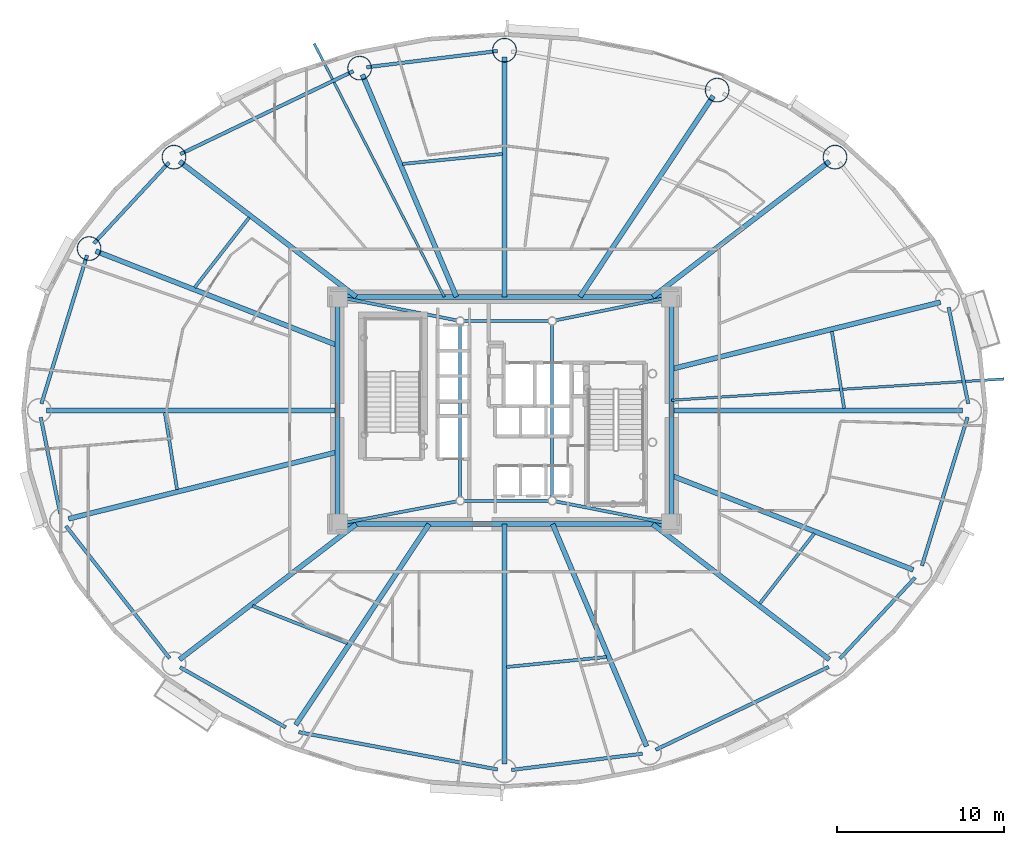
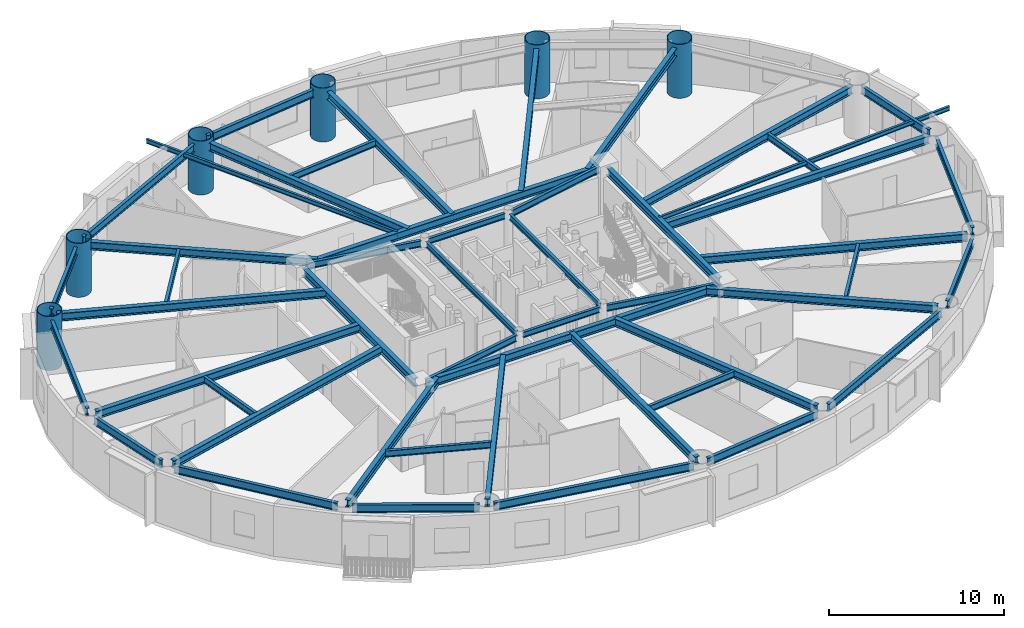
# One storey, part 3 of 18: 50 beams, 6 columns.
"""IFC4 building model written with IfcOpenShell, lengths in metres."""

import ifcopenshell
import ifcopenshell.guid

model = None  # the IFC model being written
_history = None  # IfcOwnerHistory: only IFC2X3 demands one
_inside = {}  # id of a spatial element -> (the spatial element, [elements in it])
_under = {}  # id of a project, library or spatial element -> (it, [spatial elements below it])
_declared = {}  # id of a project -> (the project, [libraries it declares])
_typed = {}  # id of a type object -> (the type object, [elements of that type])
_made_of = {}  # id of a material, layer set ... -> (it, [elements and type objects made of it])


def new_model(schema):
    """Start an empty IFC model of exactly this schema.

    Asked for "IFC4X3", IfcOpenShell would pick the latest addendum, in which some entities
    have other attributes; the version numbers below select the first issue.
    IFC2X3 requires an IfcOwnerHistory on every rooted entity: one is made here for all.
    """
    global model, _history
    if schema == "IFC4X3":
        model = ifcopenshell.file(schema_version=(4, 3, 0, 0))
    else:
        model = ifcopenshell.file(schema=schema)
    _inside.clear()
    _under.clear()
    _declared.clear()
    _typed.clear()
    _made_of.clear()
    _history = None
    if model.schema == "IFC2X3":
        org = make("IfcOrganization", Name="unknown")
        user = make(
            "IfcPersonAndOrganization",
            ThePerson=make("IfcPerson", FamilyName="unknown"),
            TheOrganization=org,
        )
        app = make(
            "IfcApplication",
            ApplicationDeveloper=org,
            Version="unknown",
            ApplicationFullName="unknown",
            ApplicationIdentifier="unknown",
        )
        _history = make(
            "IfcOwnerHistory",
            OwningUser=user,
            OwningApplication=app,
            ChangeAction="ADDED",
            CreationDate=0,
        )
    return model


def make(cls, **values):
    """One entity of the class cls with the attributes given. An attribute that is None is left unset."""
    return model.create_entity(
        cls, **{name: value for name, value in values.items() if value is not None}
    )


def rooted(cls, **values):
    """An entity with a GlobalId (a new one), such as an element, a storey or a relation."""
    return make(cls, GlobalId=ifcopenshell.guid.new(), OwnerHistory=_history, **values)


def si_unit(unit_type, name, prefix=None):
    """IfcSIUnit, for example si_unit("LENGTHUNIT", "METRE", prefix="MILLI")."""
    return make("IfcSIUnit", UnitType=unit_type, Prefix=prefix, Name=name)


def assignment(units):
    """IfcUnitAssignment: the units of a project."""
    return None if units is None else make("IfcUnitAssignment", Units=units)


def point(xyz):
    """IfcCartesianPoint."""
    return None if xyz is None else make("IfcCartesianPoint", Coordinates=xyz)


def direction(xyz):
    """IfcDirection."""
    return None if xyz is None else make("IfcDirection", DirectionRatios=xyz)


def frame(location, z_axis=None, x_axis=None):
    """IfcAxis2Placement3D, a coordinate frame: its origin and axes. An axis left out is left unset."""
    return make(
        "IfcAxis2Placement3D",
        Location=point(location),
        Axis=direction(z_axis),
        RefDirection=direction(x_axis),
    )


def frame_2d(location, x_axis=None):
    """IfcAxis2Placement2D, a coordinate frame in the plane: its origin and x axis."""
    return make(
        "IfcAxis2Placement2D", Location=point(location), RefDirection=direction(x_axis)
    )


def origin():
    """The frame at (0, 0, 0) with its axes left unset."""
    return frame((0.0, 0.0, 0.0))


def origin_2d():
    """The frame at (0, 0) in the plane with its x axis left unset."""
    return frame_2d((0.0, 0.0))


def place(relative_to, where):
    """IfcLocalPlacement: puts the frame where relative to a parent placement (None: the world)."""
    return make(
        "IfcLocalPlacement", PlacementRelTo=relative_to, RelativePlacement=where
    )


def context(
    kind, dimensions, precision=None, world=None, true_north=None, identifier=None
):
    """IfcGeometricRepresentationContext, for example the 3D "Model" context."""
    return make(
        "IfcGeometricRepresentationContext",
        ContextIdentifier=identifier,
        ContextType=kind,
        CoordinateSpaceDimension=dimensions,
        Precision=precision,
        WorldCoordinateSystem=world,
        TrueNorth=true_north,
    )


def subcontext(parent, identifier, kind, view, scale=None):
    """IfcGeometricRepresentationSubContext, for example "Body" below "Model"."""
    return make(
        "IfcGeometricRepresentationSubContext",
        ContextIdentifier=identifier,
        ContextType=kind,
        ParentContext=parent,
        TargetScale=scale,
        TargetView=view,
    )


def project(units=None, contexts=None):
    """IfcProject with its units and contexts."""
    return rooted(
        "IfcProject",
        Name="project",
        RepresentationContexts=contexts,
        UnitsInContext=assignment(units),
    )


def spatial(cls, under=None, at=None, **own):
    """A site, building, storey or space (cls), placed at a placement, below another one or the project."""
    s = rooted(cls, ObjectPlacement=at, **own)
    if under is not None:
        _under.setdefault(under.id(), (under, []))[1].append(s)
    return s


def profile(cls, at=None, kind="AREA", **sizes):
    """A parametric profile (cls). Its sizes go by their IFC names, for example OverallWidth=200.0."""
    return make(cls, ProfileType=kind, Position=at, **sizes)


def hollow_circle(**sizes):
    """IfcCircleHollowProfileDef."""
    return profile("IfcCircleHollowProfileDef", **sizes)


def i_section(**sizes):
    """IfcIShapeProfileDef."""
    return profile("IfcIShapeProfileDef", **sizes)


def extrude(swept, where, along, depth):
    """IfcExtrudedAreaSolid: the profile swept, set in the frame where, extruded along a direction by depth."""
    return make(
        "IfcExtrudedAreaSolid",
        SweptArea=swept,
        Position=where,
        ExtrudedDirection=direction(along),
        Depth=depth,
    )


def shape(context_of_items, identifier, shape_type, items):
    """IfcShapeRepresentation: the items that make up one representation, for example the "Body"."""
    return make(
        "IfcShapeRepresentation",
        ContextOfItems=context_of_items,
        RepresentationIdentifier=identifier,
        RepresentationType=shape_type,
        Items=items,
    )


def material(Name=None, Category=None):
    """IfcMaterial."""
    return make("IfcMaterial", Name=Name, Category=Category)


def material_profile(
    of_material, cross_section, Name=None, Category=None, Priority=None
):
    """IfcMaterialProfile: a cross section and its material."""
    return make(
        "IfcMaterialProfile",
        Name=Name,
        Material=of_material,
        Profile=cross_section,
        Priority=Priority,
        Category=Category,
    )


def profile_set(profiles, Name=None, composite=None):
    """IfcMaterialProfileSet."""
    return make(
        "IfcMaterialProfileSet",
        Name=Name,
        MaterialProfiles=profiles,
        CompositeProfile=composite,
    )


def made_of(thing, what):
    """Note that an element or type object is made of a material, layer set ...; save() writes the relation."""
    if what is not None:
        _made_of.setdefault(what.id(), (what, []))[1].append(thing)
    return thing


def type_object(cls, material=None, **own):
    """A type object (cls), such as IfcWallType, which elements share."""
    return made_of(rooted(cls, **own), material)


def element(
    cls,
    number,
    at=None,
    inside=None,
    cuts=None,
    type_object=None,
    material=None,
    context=None,
    identifier="Body",
    shape_type=None,
    held_by="IfcProductDefinitionShape",
    body=None,
    shapes=None,
    **own,
):
    """One element of the class cls, such as IfcWall. Its Tag is "e" and its number.

    at: its placement. inside: the storey or other place that contains it. cuts: it is an
    opening in that element (IfcRelVoidsElement). A single representation is given by context,
    identifier, shape_type and body (its items); several are given by shapes. held_by: the class
    of the entity that holds the representations. save() writes the other relations.
    """
    e = rooted(cls, Tag="e%d" % number, ObjectPlacement=at, **own)
    if body is not None:
        shapes = [shape(context, identifier, shape_type, body)]
    if shapes is not None:
        e.Representation = make(held_by, Representations=shapes)
    if inside is not None:
        _inside.setdefault(inside.id(), (inside, []))[1].append(e)
    if cuts is not None:
        rooted(
            "IfcRelVoidsElement", RelatingBuildingElement=cuts, RelatedOpeningElement=e
        )
    if type_object is not None:
        _typed.setdefault(type_object.id(), (type_object, []))[1].append(e)
    return made_of(e, material)


def aggregate(whole, parts):
    """IfcRelAggregates: a whole, such as a stair, and the parts it consists of."""
    return rooted("IfcRelAggregates", RelatingObject=whole, RelatedObjects=parts)


def save(model, path):
    """Write the relations noted so far, then the file.

    IfcRelAggregates (storeys below a building ...), IfcRelContainedInSpatialStructure (elements
    in a storey), IfcRelDefinesByType, IfcRelAssociatesMaterial and IfcRelDeclares: one each for
    every whole, place, type object, material and project.
    """
    for whole, parts in _under.values():
        aggregate(whole, parts)
    for where, things in _inside.values():
        rooted(
            "IfcRelContainedInSpatialStructure",
            RelatedElements=things,
            RelatingStructure=where,
        )
    for kind, things in _typed.values():
        rooted("IfcRelDefinesByType", RelatedObjects=things, RelatingType=kind)
    for what, things in _made_of.values():
        rooted("IfcRelAssociatesMaterial", RelatedObjects=things, RelatingMaterial=what)
    for by, libraries in _declared.values():
        rooted("IfcRelDeclares", RelatingContext=by, RelatedDefinitions=libraries)
    model.write(path)


model = new_model("IFC4")

# Units and contexts
model_context = context("Model", 3, precision=1e-05, world=origin(), true_north=direction((0.0, 1.0)))
body_context = subcontext(model_context, "Body", "Model", "MODEL_VIEW")
ifc_project = project(units=[si_unit("LENGTHUNIT", "METRE"), si_unit("AREAUNIT", "SQUARE_METRE"), si_unit("VOLUMEUNIT", "CUBIC_METRE"), si_unit("PLANEANGLEUNIT", "RADIAN"), si_unit("MASSUNIT", "GRAM", prefix="KILO")], contexts=[model_context])

# Site, building, storey
site_placement = place(None, origin())
site = spatial("IfcSite", under=ifc_project, at=site_placement, CompositionType="ELEMENT")
building_placement = place(site_placement, origin())
building = spatial("IfcBuilding", under=site, at=building_placement, Name="Linh Dai School and Residence Tower", CompositionType="ELEMENT")
storey_placement = place(building_placement, frame((0.0, 0.0, 100.949951171875)))
storey = spatial("IfcBuildingStorey", under=building, at=storey_placement, Name="L23", CompositionType="ELEMENT", Elevation=100.949951171875)

# Columns
ifc_material = material(Name="Structural Steel S355JR", Category="steel")
ifc_material_profile_1 = material_profile(ifc_material, hollow_circle(Radius=0.72509765625, WallThickness=0.0419921875, at=origin_2d()), Name="CHS 1450x42")
ifc_profile_set_1 = profile_set([ifc_material_profile_1], Name="Structural Steel S355JR")
column_type = type_object("IfcColumnType", Name="COL-MC3", PredefinedType="COLUMN", material=ifc_profile_set_1)
for number, where, z_axis, x_axis, name in (
    (1, (55.772705078125, 42.155517578125, 0.0), (0.0, 0.0, 1.0), (1.0, 0.0, 0.0), "L23 Perimeter CFT Mega-Column MC03"),
    (2, (48.721923828125, 46.1650390625, 0.0), (0.0, 0.0, 1.0), (1.0, 0.0, 0.0), "L23 Perimeter CFT Mega-Column MC04"),
    (3, (36.0, 48.554931640625, 0.0), (0.0, 0.0, 1.0), (1.0, 0.0, 0.0), "L23 Perimeter CFT Mega-Column MC05"),
    (4, (27.33447265625, 47.480712890625, 0.0), (0.0, 0.0, 1.0), (1.0, 0.0, 0.0), "L23 Perimeter CFT Mega-Column MC06"),
    (5, (16.227294921875, 42.155517578125, 0.0), (0.0, 0.0, 1.0), (1.0, 0.0, 0.0), "L23 Perimeter CFT Mega-Column MC07"),
    (6, (11.15087890625, 36.6875, 0.0), (0.0, 0.0, 1.0), (1.0, 0.0, 0.0), "L23 Perimeter CFT Mega-Column MC08"),
):
    element("IfcColumn", number, at=place(storey_placement, frame(where, z_axis=z_axis, x_axis=x_axis)), inside=storey, type_object=column_type, Name=name, PredefinedType="COLUMN", context=body_context, shape_type="SweptSolid", body=[
        extrude(hollow_circle(Radius=0.72509765625, WallThickness=0.0419921875, at=origin_2d()), origin(), (0.0, 0.0, 1.0), 3.75),
    ])

# Beams
ifc_material_profile_2 = material_profile(ifc_material, i_section(OverallWidth=0.14990234375, OverallDepth=0.300048828125, WebThickness=0.007080078125, FlangeThickness=0.0107421875, at=origin_2d()), Name="IPE 300")
ifc_profile_set_2 = profile_set([ifc_material_profile_2], Name="Structural Steel S355JR")
beam_type_1 = type_object("IfcBeamType", Name="BM-BALC-CANT", PredefinedType="BEAM", material=ifc_profile_set_2)
beam_1_placement = place(storey_placement, frame((46.0, 27.614501953125, 3.35009765625), z_axis=(0.997959538663, 0.063849504236, 0.0), x_axis=(-0.063849504236, 0.997959538663, 0.0)))
element("IfcBeam", 7, at=beam_1_placement, inside=storey, type_object=beam_type_1, Name="L24 Balcony Continuous Cantilever Beam 01", PredefinedType="BEAM", context=body_context, shape_type="SweptSolid", body=[
    extrude(i_section(OverallWidth=0.14990234375, OverallDepth=0.300048828125, WebThickness=0.007080078125, FlangeThickness=0.0107421875, at=origin_2d()), origin(), (0.0, 0.0, 1.0), 19.91748046875),
])
beam_2_placement = place(storey_placement, frame((32.39501953125, 33.800048828125, 3.35009765625), z_axis=(-0.456823084527, 0.889557569493, 0.0), x_axis=(-0.889557569493, -0.456823084527, 0.0)))
element("IfcBeam", 8, at=beam_2_placement, inside=storey, type_object=beam_type_1, Name="L24 Balcony Continuous Cantilever Beam 13", PredefinedType="BEAM", context=body_context, shape_type="SweptSolid", body=[
    extrude(i_section(OverallWidth=0.14990234375, OverallDepth=0.300048828125, WebThickness=0.007080078125, FlangeThickness=0.0107421875, at=origin_2d()), origin(), (0.0, 0.0, 1.0), 17.027099609375),
])
ifc_material_profile_3 = material_profile(ifc_material, i_section(OverallWidth=0.2099609375, OverallDepth=0.550048828125, WebThickness=0.010986328125, FlangeThickness=0.01708984375, FilletRadius=0.02392578125, at=origin_2d()), Name="IPE 550")
ifc_profile_set_3 = profile_set([ifc_material_profile_3], Name="Structural Steel S355JR")
beam_type_2 = type_object("IfcBeamType", Name="BM-RB55", PredefinedType="BEAM", material=ifc_profile_set_3)
beam_3_placement = place(storey_placement, frame((63.74169921875, 27.41162109375, 3.22509765625), z_axis=(-0.198441254313, 0.980112783605, 0.0), x_axis=(-0.980112783605, -0.198441254313, 0.0)))
element("IfcBeam", 9, at=beam_3_placement, inside=storey, type_object=beam_type_2, Name="L23 Perimeter Elliptical Ring Beam 01", PredefinedType="BEAM", context=body_context, shape_type="SweptSolid", body=[
    extrude(i_section(OverallWidth=0.2099609375, OverallDepth=0.550048828125, WebThickness=0.010986328125, FlangeThickness=0.01708984375, FilletRadius=0.02392578125, at=origin_2d()), origin(), (0.0, 0.0, 1.0), 5.874755859375),
])
beam_4_placement = place(storey_placement, frame((35.583251953125, 48.50341796875, 3.22509765625), z_axis=(-0.992399234854, -0.123059979933, 0.0), x_axis=(0.123059979933, -0.992399234854, 0.0)))
element("IfcBeam", 10, at=beam_4_placement, inside=storey, type_object=beam_type_2, Name="L23 Perimeter Elliptical Ring Beam 05", PredefinedType="BEAM", context=body_context, shape_type="SweptSolid", body=[
    extrude(i_section(OverallWidth=0.2099609375, OverallDepth=0.550048828125, WebThickness=0.010986328125, FlangeThickness=0.01708984375, FilletRadius=0.02392578125, at=origin_2d()), origin(), (0.0, 0.0, 1.0), 7.89208984375),
])
beam_5_placement = place(storey_placement, frame((26.955810546875, 47.299072265625, 3.22509765625), z_axis=(-0.901715153312, -0.432330640005, 0.0), x_axis=(0.432330640005, -0.901715153312, 0.0)))
element("IfcBeam", 11, at=beam_5_placement, inside=storey, type_object=beam_type_2, Name="L23 Perimeter Elliptical Ring Beam 06", PredefinedType="BEAM", context=body_context, shape_type="SweptSolid", body=[
    extrude(i_section(OverallWidth=0.2099609375, OverallDepth=0.550048828125, WebThickness=0.010986328125, FlangeThickness=0.01708984375, FilletRadius=0.02392578125, at=origin_2d()), origin(), (0.0, 0.0, 1.0), 11.477783203125),
])
beam_6_placement = place(storey_placement, frame((15.941650390625, 41.84765625, 3.22509765625), z_axis=(-0.680384623752, -0.732855213369, 0.0), x_axis=(0.732855213369, -0.680384623752, 0.0)))
element("IfcBeam", 12, at=beam_6_placement, inside=storey, type_object=beam_type_2, Name="L23 Perimeter Elliptical Ring Beam 07", PredefinedType="BEAM", context=body_context, shape_type="SweptSolid", body=[
    extrude(i_section(OverallWidth=0.2099609375, OverallDepth=0.550048828125, WebThickness=0.010986328125, FlangeThickness=0.01708984375, FilletRadius=0.02392578125, at=origin_2d()), origin(), (0.0, 0.0, 1.0), 6.62109375),
])
beam_7_placement = place(storey_placement, frame((11.027587890625, 36.2861328125, 3.22509765625), z_axis=(-0.29364097848, -0.95591577859, 0.0), x_axis=(0.95591577859, -0.29364097848, 0.0)))
element("IfcBeam", 13, at=beam_7_placement, inside=storey, type_object=beam_type_2, Name="L23 Perimeter Elliptical Ring Beam 08", PredefinedType="BEAM", context=body_context, shape_type="SweptSolid", body=[
    extrude(i_section(OverallWidth=0.2099609375, OverallDepth=0.550048828125, WebThickness=0.010986328125, FlangeThickness=0.01708984375, FilletRadius=0.02392578125, at=origin_2d()), origin(), (0.0, 0.0, 1.0), 9.29443359375),
])
beam_8_placement = place(storey_placement, frame((8.25830078125, 26.58837890625, 3.22509765625), z_axis=(0.198441254313, -0.980112783605, 0.0), x_axis=(0.980112783605, 0.198441254313, 0.0)))
element("IfcBeam", 14, at=beam_8_placement, inside=storey, type_object=beam_type_2, Name="L23 Perimeter Elliptical Ring Beam 09", PredefinedType="BEAM", context=body_context, shape_type="SweptSolid", body=[
    extrude(i_section(OverallWidth=0.2099609375, OverallDepth=0.550048828125, WebThickness=0.010986328125, FlangeThickness=0.01708984375, FilletRadius=0.02392578125, at=origin_2d()), origin(), (0.0, 0.0, 1.0), 5.874755859375),
])
beam_9_placement = place(storey_placement, frame((9.766357421875, 20.08837890625, 3.22509765625), z_axis=(0.616854830973, -0.787076945098, 0.0), x_axis=(0.787076945098, 0.616854830973, 0.0)))
element("IfcBeam", 15, at=beam_9_placement, inside=storey, type_object=beam_type_2, Name="L23 Perimeter Elliptical Ring Beam 10", PredefinedType="BEAM", context=body_context, shape_type="SweptSolid", body=[
    extrude(i_section(OverallWidth=0.2099609375, OverallDepth=0.550048828125, WebThickness=0.010986328125, FlangeThickness=0.01708984375, FilletRadius=0.02392578125, at=origin_2d()), origin(), (0.0, 0.0, 1.0), 10.053955078125),
])
beam_10_placement = place(storey_placement, frame((16.592529296875, 11.636962890625, 3.22509765625), z_axis=(0.86927031475, -0.494337050902, 0.0), x_axis=(0.494337050902, 0.86927031475, 0.0)))
element("IfcBeam", 16, at=beam_10_placement, inside=storey, type_object=beam_type_2, Name="L23 Perimeter Elliptical Ring Beam 11", PredefinedType="BEAM", context=body_context, shape_type="SweptSolid", body=[
    extrude(i_section(OverallWidth=0.2099609375, OverallDepth=0.550048828125, WebThickness=0.010986328125, FlangeThickness=0.01708984375, FilletRadius=0.02392578125, at=origin_2d()), origin(), (0.0, 0.0, 1.0), 7.270751953125),
])
beam_11_placement = place(storey_placement, frame((23.69091796875, 7.75732421875, 3.22509765625), z_axis=(0.982807507457, -0.184633158685, 0.0), x_axis=(0.184633158685, 0.982807507457, 0.0)))
element("IfcBeam", 17, at=beam_11_placement, inside=storey, type_object=beam_type_2, Name="L23 Perimeter Elliptical Ring Beam 12", PredefinedType="BEAM", context=body_context, shape_type="SweptSolid", body=[
    extrude(i_section(OverallWidth=0.2099609375, OverallDepth=0.550048828125, WebThickness=0.010986328125, FlangeThickness=0.01708984375, FilletRadius=0.02392578125, at=origin_2d()), origin(), (0.0, 0.0, 1.0), 12.104248046875),
])
beam_12_placement = place(storey_placement, frame((36.416748046875, 5.49658203125, 3.22509765625), z_axis=(0.992399234854, 0.123059979933, 0.0), x_axis=(-0.123059979933, 0.992399234854, 0.0)))
element("IfcBeam", 18, at=beam_12_placement, inside=storey, type_object=beam_type_2, Name="L23 Perimeter Elliptical Ring Beam 13", PredefinedType="BEAM", context=body_context, shape_type="SweptSolid", body=[
    extrude(i_section(OverallWidth=0.2099609375, OverallDepth=0.550048828125, WebThickness=0.010986328125, FlangeThickness=0.01708984375, FilletRadius=0.02392578125, at=origin_2d()), origin(), (0.0, 0.0, 1.0), 7.89208984375),
])
beam_13_placement = place(storey_placement, frame((45.044189453125, 6.700927734375, 3.22509765625), z_axis=(0.901715153312, 0.432330640005, 0.0), x_axis=(-0.432330640005, 0.901715153312, 0.0)))
element("IfcBeam", 19, at=beam_13_placement, inside=storey, type_object=beam_type_2, Name="L23 Perimeter Elliptical Ring Beam 14", PredefinedType="BEAM", context=body_context, shape_type="SweptSolid", body=[
    extrude(i_section(OverallWidth=0.2099609375, OverallDepth=0.550048828125, WebThickness=0.010986328125, FlangeThickness=0.01708984375, FilletRadius=0.02392578125, at=origin_2d()), origin(), (0.0, 0.0, 1.0), 11.477783203125),
])
beam_14_placement = place(storey_placement, frame((56.058349609375, 12.15234375, 3.22509765625), z_axis=(0.680384623752, 0.732855213369, 0.0), x_axis=(-0.732855213369, 0.680384623752, 0.0)))
element("IfcBeam", 20, at=beam_14_placement, inside=storey, type_object=beam_type_2, Name="L23 Perimeter Elliptical Ring Beam 15", PredefinedType="BEAM", context=body_context, shape_type="SweptSolid", body=[
    extrude(i_section(OverallWidth=0.2099609375, OverallDepth=0.550048828125, WebThickness=0.010986328125, FlangeThickness=0.01708984375, FilletRadius=0.02392578125, at=origin_2d()), origin(), (0.0, 0.0, 1.0), 6.62109375),
])
beam_15_placement = place(storey_placement, frame((60.972412109375, 17.7138671875, 3.22509765625), z_axis=(0.29364097848, 0.95591577859, 0.0), x_axis=(-0.95591577859, 0.29364097848, 0.0)))
element("IfcBeam", 21, at=beam_15_placement, inside=storey, type_object=beam_type_2, Name="L23 Perimeter Elliptical Ring Beam 16", PredefinedType="BEAM", context=body_context, shape_type="SweptSolid", body=[
    extrude(i_section(OverallWidth=0.2099609375, OverallDepth=0.550048828125, WebThickness=0.010986328125, FlangeThickness=0.01708984375, FilletRadius=0.02392578125, at=origin_2d()), origin(), (0.0, 0.0, 1.0), 9.29443359375),
])
ifc_material_profile_4 = material_profile(ifc_material, i_section(OverallWidth=0.300048828125, OverallDepth=0.550048828125, WebThickness=0.014892578125, FlangeThickness=0.029052734375, FilletRadius=0.027099609375, at=origin_2d()), Name="HEB 550")
ifc_profile_set_4 = profile_set([ifc_material_profile_4], Name="Structural Steel S355JR")
beam_type_3 = type_object("IfcBeamType", Name="BM-RG55", PredefinedType="BEAM", material=ifc_profile_set_4)
beam_16_placement = place(storey_placement, frame((26.419921875, 20.199951171875, 3.22509765625), z_axis=(1.0, 0.0, 0.0), x_axis=(0.0, 1.0, 0.0)))
element("IfcBeam", 22, at=beam_16_placement, inside=storey, type_object=beam_type_3, Name="L23 Core Perimeter Coupling Girder 1", PredefinedType="BEAM", context=body_context, shape_type="SweptSolid", body=[
    extrude(i_section(OverallWidth=0.300048828125, OverallDepth=0.550048828125, WebThickness=0.014892578125, FlangeThickness=0.029052734375, FilletRadius=0.027099609375, at=origin_2d()), origin(), (0.0, 0.0, 1.0), 19.16015625),
])
beam_17_placement = place(storey_placement, frame((46.0, 20.6201171875, 3.22509765625), z_axis=(0.0, 1.0, 0.0), x_axis=(-1.0, 0.0, 0.0)))
element("IfcBeam", 23, at=beam_17_placement, inside=storey, type_object=beam_type_3, Name="L23 Core Perimeter Coupling Girder 2", PredefinedType="BEAM", context=body_context, shape_type="SweptSolid", body=[
    extrude(i_section(OverallWidth=0.300048828125, OverallDepth=0.550048828125, WebThickness=0.014892578125, FlangeThickness=0.029052734375, FilletRadius=0.027099609375, at=origin_2d()), origin(), (0.0, 0.0, 1.0), 12.759765625),
])
beam_18_placement = place(storey_placement, frame((45.580078125, 33.800048828125, 3.22509765625), z_axis=(-1.0, 0.0, 0.0), x_axis=(0.0, -1.0, 0.0)))
element("IfcBeam", 24, at=beam_18_placement, inside=storey, type_object=beam_type_3, Name="L23 Core Perimeter Coupling Girder 3", PredefinedType="BEAM", context=body_context, shape_type="SweptSolid", body=[
    extrude(i_section(OverallWidth=0.300048828125, OverallDepth=0.550048828125, WebThickness=0.014892578125, FlangeThickness=0.029052734375, FilletRadius=0.027099609375, at=origin_2d()), origin(), (0.0, 0.0, 1.0), 19.16015625),
])
beam_19_placement = place(storey_placement, frame((26.0, 33.3798828125, 3.22509765625), z_axis=(0.0, -1.0, 0.0), x_axis=(1.0, 0.0, 0.0)))
element("IfcBeam", 25, at=beam_19_placement, inside=storey, type_object=beam_type_3, Name="L23 Core Perimeter Coupling Girder 4", PredefinedType="BEAM", context=body_context, shape_type="SweptSolid", body=[
    extrude(i_section(OverallWidth=0.300048828125, OverallDepth=0.550048828125, WebThickness=0.014892578125, FlangeThickness=0.029052734375, FilletRadius=0.027099609375, at=origin_2d()), origin(), (0.0, 0.0, 1.0), 12.759765625),
])
beam_20_placement = place(storey_placement, frame((46.0, 27.0, 3.22509765625), z_axis=(1.0, 0.0, 0.0), x_axis=(0.0, 1.0, 0.0)))
element("IfcBeam", 26, at=beam_20_placement, inside=storey, type_object=beam_type_3, Name="L23 Primary Radial Floor Girder 01", PredefinedType="BEAM", context=body_context, shape_type="SweptSolid", body=[
    extrude(i_section(OverallWidth=0.300048828125, OverallDepth=0.550048828125, WebThickness=0.014892578125, FlangeThickness=0.029052734375, FilletRadius=0.027099609375, at=origin_2d()), origin(), (0.0, 0.0, 1.0), 17.405029296875),
])
beam_21_placement = place(storey_placement, frame((46.0, 29.484130859375, 3.22509765625), z_axis=(0.970505338376, 0.241079630379, 0.0), x_axis=(-0.241079630379, 0.970505338376, 0.0)))
element("IfcBeam", 27, at=beam_21_placement, inside=storey, type_object=beam_type_3, Name="L23 Primary Radial Floor Girder 02", PredefinedType="BEAM", context=body_context, shape_type="SweptSolid", body=[
    extrude(i_section(OverallWidth=0.300048828125, OverallDepth=0.550048828125, WebThickness=0.014892578125, FlangeThickness=0.029052734375, FilletRadius=0.027099609375, at=origin_2d()), origin(), (0.0, 0.0, 1.0), 16.57373046875),
])
beam_22_placement = place(storey_placement, frame((44.87158203125, 33.800048828125, 3.22509765625), z_axis=(0.793678660795, 0.608337228352, 0.0), x_axis=(-0.608337228352, 0.793678660795, 0.0)))
element("IfcBeam", 28, at=beam_22_placement, inside=storey, type_object=beam_type_3, Name="L23 Primary Radial Floor Girder 03", PredefinedType="BEAM", context=body_context, shape_type="SweptSolid", body=[
    extrude(i_section(OverallWidth=0.300048828125, OverallDepth=0.550048828125, WebThickness=0.014892578125, FlangeThickness=0.029052734375, FilletRadius=0.027099609375, at=origin_2d()), origin(), (0.0, 0.0, 1.0), 13.314697265625),
])
beam_23_placement = place(storey_placement, frame((40.513916015625, 33.800048828125, 3.22509765625), z_axis=(0.553054392401, 0.833145148846, 0.0), x_axis=(-0.833145148846, 0.553054392401, 0.0)))
element("IfcBeam", 29, at=beam_23_placement, inside=storey, type_object=beam_type_3, Name="L23 Primary Radial Floor Girder 04", PredefinedType="BEAM", context=body_context, shape_type="SweptSolid", body=[
    extrude(i_section(OverallWidth=0.300048828125, OverallDepth=0.550048828125, WebThickness=0.014892578125, FlangeThickness=0.029052734375, FilletRadius=0.027099609375, at=origin_2d()), origin(), (0.0, 0.0, 1.0), 14.42138671875),
])
beam_24_placement = place(storey_placement, frame((36.0, 33.800048828125, 3.22509765625), z_axis=(0.0, 1.0, 0.0), x_axis=(-1.0, 0.0, 0.0)))
element("IfcBeam", 30, at=beam_24_placement, inside=storey, type_object=beam_type_3, Name="L23 Primary Radial Floor Girder 05", PredefinedType="BEAM", context=body_context, shape_type="SweptSolid", body=[
    extrude(i_section(OverallWidth=0.300048828125, OverallDepth=0.550048828125, WebThickness=0.014892578125, FlangeThickness=0.029052734375, FilletRadius=0.027099609375, at=origin_2d()), origin(), (0.0, 0.0, 1.0), 14.3349609375),
])
beam_25_placement = place(storey_placement, frame((33.122802734375, 33.800048828125, 3.22509765625), z_axis=(-0.389669233739, 0.920954878524, 0.0), x_axis=(-0.920954878524, -0.389669233739, 0.0)))
element("IfcBeam", 31, at=beam_25_placement, inside=storey, type_object=beam_type_3, Name="L23 Primary Radial Floor Girder 06", PredefinedType="BEAM", context=body_context, shape_type="SweptSolid", body=[
    extrude(i_section(OverallWidth=0.300048828125, OverallDepth=0.550048828125, WebThickness=0.014892578125, FlangeThickness=0.029052734375, FilletRadius=0.027099609375, at=origin_2d()), origin(), (0.0, 0.0, 1.0), 14.434814453125),
])
beam_26_placement = place(storey_placement, frame((27.12841796875, 33.800048828125, 3.22509765625), z_axis=(-0.793678660795, 0.608337228352, 0.0), x_axis=(-0.608337228352, -0.793678660795, 0.0)))
element("IfcBeam", 32, at=beam_26_placement, inside=storey, type_object=beam_type_3, Name="L23 Primary Radial Floor Girder 07", PredefinedType="BEAM", context=body_context, shape_type="SweptSolid", body=[
    extrude(i_section(OverallWidth=0.300048828125, OverallDepth=0.550048828125, WebThickness=0.014892578125, FlangeThickness=0.029052734375, FilletRadius=0.027099609375, at=origin_2d()), origin(), (0.0, 0.0, 1.0), 13.314697265625),
])
beam_27_placement = place(storey_placement, frame((26.0, 30.8984375, 3.22509765625), z_axis=(-0.931699338449, 0.363230426498, 0.0), x_axis=(-0.363230426498, -0.931699338449, 0.0)))
element("IfcBeam", 33, at=beam_27_placement, inside=storey, type_object=beam_type_3, Name="L23 Primary Radial Floor Girder 08", PredefinedType="BEAM", context=body_context, shape_type="SweptSolid", body=[
    extrude(i_section(OverallWidth=0.300048828125, OverallDepth=0.550048828125, WebThickness=0.014892578125, FlangeThickness=0.029052734375, FilletRadius=0.027099609375, at=origin_2d()), origin(), (0.0, 0.0, 1.0), 15.517578125),
])
beam_28_placement = place(storey_placement, frame((26.0, 27.0, 3.22509765625), z_axis=(-1.0, 0.0, 0.0), x_axis=(0.0, -1.0, 0.0)))
element("IfcBeam", 34, at=beam_28_placement, inside=storey, type_object=beam_type_3, Name="L23 Primary Radial Floor Girder 09", PredefinedType="BEAM", context=body_context, shape_type="SweptSolid", body=[
    extrude(i_section(OverallWidth=0.300048828125, OverallDepth=0.550048828125, WebThickness=0.014892578125, FlangeThickness=0.029052734375, FilletRadius=0.027099609375, at=origin_2d()), origin(), (0.0, 0.0, 1.0), 17.405029296875),
])
beam_29_placement = place(storey_placement, frame((26.0, 24.515869140625, 3.22509765625), z_axis=(-0.970505338376, -0.241079630379, 0.0), x_axis=(0.241079630379, -0.970505338376, 0.0)))
element("IfcBeam", 35, at=beam_29_placement, inside=storey, type_object=beam_type_3, Name="L23 Primary Radial Floor Girder 10", PredefinedType="BEAM", context=body_context, shape_type="SweptSolid", body=[
    extrude(i_section(OverallWidth=0.300048828125, OverallDepth=0.550048828125, WebThickness=0.014892578125, FlangeThickness=0.029052734375, FilletRadius=0.027099609375, at=origin_2d()), origin(), (0.0, 0.0, 1.0), 16.57373046875),
])
beam_30_placement = place(storey_placement, frame((27.12841796875, 20.199951171875, 3.22509765625), z_axis=(-0.793678660795, -0.608337228352, 0.0), x_axis=(0.608337228352, -0.793678660795, 0.0)))
element("IfcBeam", 36, at=beam_30_placement, inside=storey, type_object=beam_type_3, Name="L23 Primary Radial Floor Girder 11", PredefinedType="BEAM", context=body_context, shape_type="SweptSolid", body=[
    extrude(i_section(OverallWidth=0.300048828125, OverallDepth=0.550048828125, WebThickness=0.014892578125, FlangeThickness=0.029052734375, FilletRadius=0.027099609375, at=origin_2d()), origin(), (0.0, 0.0, 1.0), 13.314697265625),
])
beam_31_placement = place(storey_placement, frame((31.486083984375, 20.199951171875, 3.22509765625), z_axis=(-0.553054392401, -0.833145148846, 0.0), x_axis=(0.833145148846, -0.553054392401, 0.0)))
element("IfcBeam", 37, at=beam_31_placement, inside=storey, type_object=beam_type_3, Name="L23 Primary Radial Floor Girder 12", PredefinedType="BEAM", context=body_context, shape_type="SweptSolid", body=[
    extrude(i_section(OverallWidth=0.300048828125, OverallDepth=0.550048828125, WebThickness=0.014892578125, FlangeThickness=0.029052734375, FilletRadius=0.027099609375, at=origin_2d()), origin(), (0.0, 0.0, 1.0), 14.42138671875),
])
beam_32_placement = place(storey_placement, frame((36.0, 20.199951171875, 3.22509765625), z_axis=(0.0, -1.0, 0.0), x_axis=(1.0, 0.0, 0.0)))
element("IfcBeam", 38, at=beam_32_placement, inside=storey, type_object=beam_type_3, Name="L23 Primary Radial Floor Girder 13", PredefinedType="BEAM", context=body_context, shape_type="SweptSolid", body=[
    extrude(i_section(OverallWidth=0.300048828125, OverallDepth=0.550048828125, WebThickness=0.014892578125, FlangeThickness=0.029052734375, FilletRadius=0.027099609375, at=origin_2d()), origin(), (0.0, 0.0, 1.0), 14.3349609375),
])
beam_33_placement = place(storey_placement, frame((38.877197265625, 20.199951171875, 3.22509765625), z_axis=(0.389669233739, -0.920954878524, 0.0), x_axis=(0.920954878524, 0.389669233739, 0.0)))
element("IfcBeam", 39, at=beam_33_placement, inside=storey, type_object=beam_type_3, Name="L23 Primary Radial Floor Girder 14", PredefinedType="BEAM", context=body_context, shape_type="SweptSolid", body=[
    extrude(i_section(OverallWidth=0.300048828125, OverallDepth=0.550048828125, WebThickness=0.014892578125, FlangeThickness=0.029052734375, FilletRadius=0.027099609375, at=origin_2d()), origin(), (0.0, 0.0, 1.0), 14.434814453125),
])
beam_34_placement = place(storey_placement, frame((44.87158203125, 20.199951171875, 3.22509765625), z_axis=(0.793678660795, -0.608337228352, 0.0), x_axis=(0.608337228352, 0.793678660795, 0.0)))
element("IfcBeam", 40, at=beam_34_placement, inside=storey, type_object=beam_type_3, Name="L23 Primary Radial Floor Girder 15", PredefinedType="BEAM", context=body_context, shape_type="SweptSolid", body=[
    extrude(i_section(OverallWidth=0.300048828125, OverallDepth=0.550048828125, WebThickness=0.014892578125, FlangeThickness=0.029052734375, FilletRadius=0.027099609375, at=origin_2d()), origin(), (0.0, 0.0, 1.0), 13.314697265625),
])
beam_35_placement = place(storey_placement, frame((46.0, 23.1015625, 3.22509765625), z_axis=(0.931699338449, -0.363230426498, 0.0), x_axis=(0.363230426498, 0.931699338449, 0.0)))
element("IfcBeam", 41, at=beam_35_placement, inside=storey, type_object=beam_type_3, Name="L23 Primary Radial Floor Girder 16", PredefinedType="BEAM", context=body_context, shape_type="SweptSolid", body=[
    extrude(i_section(OverallWidth=0.300048828125, OverallDepth=0.550048828125, WebThickness=0.014892578125, FlangeThickness=0.029052734375, FilletRadius=0.027099609375, at=origin_2d()), origin(), (0.0, 0.0, 1.0), 15.517578125),
])
ifc_material_profile_5 = material_profile(ifc_material, i_section(OverallWidth=0.179931640625, OverallDepth=0.39990234375, WebThickness=0.008544921875, FlangeThickness=0.013427734375, FilletRadius=0.02099609375, at=origin_2d()), Name="IPE 400")
ifc_profile_set_5 = profile_set([ifc_material_profile_5], Name="Structural Steel S355JR")
beam_type_4 = type_object("IfcBeamType", Name="BM-SB40", PredefinedType="BEAM", material=ifc_profile_set_5)
beam_36_placement = place(storey_placement, frame((33.573974609375, 21.60009765625, 3.300048828125), z_axis=(1.0, 0.0, 0.0), x_axis=(0.0, 1.0, 0.0)))
element("IfcBeam", 42, at=beam_36_placement, inside=storey, type_object=beam_type_4, Name="L23 Core Mast Pier Tie Beam 1", PredefinedType="BEAM", context=body_context, shape_type="SweptSolid", body=[
    extrude(i_section(OverallWidth=0.179931640625, OverallDepth=0.39990234375, WebThickness=0.008544921875, FlangeThickness=0.013427734375, FilletRadius=0.02099609375, at=origin_2d()), origin(), (0.0, 0.0, 1.0), 5.052001953125),
])
beam_37_placement = place(storey_placement, frame((38.85009765625, 21.823974609375, 3.300048828125), z_axis=(0.0, 1.0, 0.0), x_axis=(-1.0, 0.0, 0.0)))
element("IfcBeam", 43, at=beam_37_placement, inside=storey, type_object=beam_type_4, Name="L23 Core Mast Pier Tie Beam 2", PredefinedType="BEAM", context=body_context, shape_type="SweptSolid", body=[
    extrude(i_section(OverallWidth=0.179931640625, OverallDepth=0.39990234375, WebThickness=0.008544921875, FlangeThickness=0.013427734375, FilletRadius=0.02099609375, at=origin_2d()), origin(), (0.0, 0.0, 1.0), 10.302001953125),
])
beam_38_placement = place(storey_placement, frame((38.6259765625, 32.35009765625, 3.300048828125), z_axis=(-1.0, 0.0, 0.0), x_axis=(0.0, -1.0, 0.0)))
element("IfcBeam", 44, at=beam_38_placement, inside=storey, type_object=beam_type_4, Name="L23 Core Mast Pier Tie Beam 3", PredefinedType="BEAM", context=body_context, shape_type="SweptSolid", body=[
    extrude(i_section(OverallWidth=0.179931640625, OverallDepth=0.39990234375, WebThickness=0.008544921875, FlangeThickness=0.013427734375, FilletRadius=0.02099609375, at=origin_2d()), origin(), (0.0, 0.0, 1.0), 5.052001953125),
])
beam_39_placement = place(storey_placement, frame((33.35009765625, 32.1259765625, 3.300048828125), z_axis=(0.0, -1.0, 0.0), x_axis=(1.0, 0.0, 0.0)))
element("IfcBeam", 45, at=beam_39_placement, inside=storey, type_object=beam_type_4, Name="L23 Core Mast Pier Tie Beam 4", PredefinedType="BEAM", context=body_context, shape_type="SweptSolid", body=[
    extrude(i_section(OverallWidth=0.179931640625, OverallDepth=0.39990234375, WebThickness=0.008544921875, FlangeThickness=0.013427734375, FilletRadius=0.02099609375, at=origin_2d()), origin(), (0.0, 0.0, 1.0), 10.302001953125),
])
ifc_material_profile_6 = material_profile(ifc_material, i_section(OverallWidth=0.18994140625, OverallDepth=0.449951171875, WebThickness=0.009521484375, FlangeThickness=0.0146484375, FilletRadius=0.02099609375, at=origin_2d()), Name="IPE 450")
ifc_profile_set_6 = profile_set([ifc_material_profile_6], Name="Structural Steel S355JR")
beam_type_5 = type_object("IfcBeamType", Name="BM-SB45", PredefinedType="BEAM", material=ifc_profile_set_6)
beam_40_placement = place(storey_placement, frame((26.41259765625, 20.278564453125, 3.275146484375), z_axis=(0.982337003886, 0.187120311019, 0.0), x_axis=(-0.187120311019, 0.982337003886, 0.0)))
element("IfcBeam", 46, at=beam_40_placement, inside=storey, type_object=beam_type_5, Name="L23 Core Corner-to-Mast Pier Beam 1", PredefinedType="BEAM", context=body_context, shape_type="SweptSolid", body=[
    extrude(i_section(OverallWidth=0.18994140625, OverallDepth=0.449951171875, WebThickness=0.009521484375, FlangeThickness=0.0146484375, FilletRadius=0.02099609375, at=origin_2d()), origin(), (0.0, 0.0, 1.0), 6.838134765625),
])
beam_41_placement = place(storey_placement, frame((45.587890625, 20.28076171875, 3.275146484375), z_axis=(-0.981368554414, 0.192134745446, 0.0), x_axis=(-0.192134745446, -0.981368554414, 0.0)))
element("IfcBeam", 47, at=beam_41_placement, inside=storey, type_object=beam_type_5, Name="L23 Core Corner-to-Mast Pier Beam 2", PredefinedType="BEAM", context=body_context, shape_type="SweptSolid", body=[
    extrude(i_section(OverallWidth=0.18994140625, OverallDepth=0.449951171875, WebThickness=0.009521484375, FlangeThickness=0.0146484375, FilletRadius=0.02099609375, at=origin_2d()), origin(), (0.0, 0.0, 1.0), 6.641845703125),
])
beam_42_placement = place(storey_placement, frame((45.58837890625, 33.716552734375, 3.275146484375), z_axis=(-0.980049140776, -0.19875533116, 0.0), x_axis=(0.19875533116, -0.980049140776, 0.0)))
element("IfcBeam", 48, at=beam_42_placement, inside=storey, type_object=beam_type_5, Name="L23 Core Corner-to-Mast Pier Beam 3", PredefinedType="BEAM", context=body_context, shape_type="SweptSolid", body=[
    extrude(i_section(OverallWidth=0.18994140625, OverallDepth=0.449951171875, WebThickness=0.009521484375, FlangeThickness=0.0146484375, FilletRadius=0.02099609375, at=origin_2d()), origin(), (0.0, 0.0, 1.0), 6.651611328125),
])
beam_43_placement = place(storey_placement, frame((26.412109375, 33.71875, 3.275146484375), z_axis=(0.981087482999, -0.193564848828, 0.0), x_axis=(0.193564848828, 0.981087482999, 0.0)))
element("IfcBeam", 49, at=beam_43_placement, inside=storey, type_object=beam_type_5, Name="L23 Core Corner-to-Mast Pier Beam 4", PredefinedType="BEAM", context=body_context, shape_type="SweptSolid", body=[
    extrude(i_section(OverallWidth=0.18994140625, OverallDepth=0.449951171875, WebThickness=0.009521484375, FlangeThickness=0.0146484375, FilletRadius=0.02099609375, at=origin_2d()), origin(), (0.0, 0.0, 1.0), 6.847412109375),
])
beam_44_placement = place(storey_placement, frame((56.318115234375, 27.12841796875, 3.275146484375), z_axis=(-0.15702217033, 0.987595077967, 0.0), x_axis=(-0.987595077967, -0.15702217033, 0.0)))
element("IfcBeam", 50, at=beam_44_placement, inside=storey, type_object=beam_type_5, Name="L23 Secondary Circumferential Floor Beam 01", PredefinedType="BEAM", context=body_context, shape_type="SweptSolid", body=[
    extrude(i_section(OverallWidth=0.18994140625, OverallDepth=0.449951171875, WebThickness=0.009521484375, FlangeThickness=0.0146484375, FilletRadius=0.02099609375, at=origin_2d()), origin(), (0.0, 0.0, 1.0), 4.661376953125),
])
beam_45_placement = place(storey_placement, frame((35.87060546875, 42.344970703125, 3.275146484375), z_axis=(-0.995039604987, -0.099479568287, 0.0), x_axis=(0.099479568287, -0.995039604987, 0.0)))
element("IfcBeam", 51, at=beam_45_placement, inside=storey, type_object=beam_type_5, Name="L23 Secondary Circumferential Floor Beam 03", PredefinedType="BEAM", context=body_context, shape_type="SweptSolid", body=[
    extrude(i_section(OverallWidth=0.18994140625, OverallDepth=0.449951171875, WebThickness=0.009521484375, FlangeThickness=0.0146484375, FilletRadius=0.02099609375, at=origin_2d()), origin(), (0.0, 0.0, 1.0), 6.00537109375),
])
beam_46_placement = place(storey_placement, frame((20.725830078125, 38.543701171875, 3.275146484375), z_axis=(-0.614322948635, -0.789054696951, 0.0), x_axis=(0.789054696951, -0.614322948635, 0.0)))
element("IfcBeam", 52, at=beam_46_placement, inside=storey, type_object=beam_type_5, Name="L23 Secondary Circumferential Floor Beam 04", PredefinedType="BEAM", context=body_context, shape_type="SweptSolid", body=[
    extrude(i_section(OverallWidth=0.18994140625, OverallDepth=0.449951171875, WebThickness=0.009521484375, FlangeThickness=0.0146484375, FilletRadius=0.02099609375, at=origin_2d()), origin(), (0.0, 0.0, 1.0), 5.303955078125),
])
beam_47_placement = place(storey_placement, frame((15.681884765625, 26.87158203125, 3.275146484375), z_axis=(0.15702217033, -0.987595077967, 0.0), x_axis=(0.987595077967, 0.15702217033, 0.0)))
element("IfcBeam", 53, at=beam_47_placement, inside=storey, type_object=beam_type_5, Name="L23 Secondary Circumferential Floor Beam 05", PredefinedType="BEAM", context=body_context, shape_type="SweptSolid", body=[
    extrude(i_section(OverallWidth=0.18994140625, OverallDepth=0.449951171875, WebThickness=0.009521484375, FlangeThickness=0.0146484375, FilletRadius=0.02099609375, at=origin_2d()), origin(), (0.0, 0.0, 1.0), 4.661376953125),
])
beam_48_placement = place(storey_placement, frame((20.9267578125, 15.306396484375, 3.275146484375), z_axis=(0.930755385045, -0.365642466365, 0.0), x_axis=(0.365642466365, 0.930755385045, 0.0)))
element("IfcBeam", 54, at=beam_48_placement, inside=storey, type_object=beam_type_5, Name="L23 Secondary Circumferential Floor Beam 06", PredefinedType="BEAM", context=body_context, shape_type="SweptSolid", body=[
    extrude(i_section(OverallWidth=0.18994140625, OverallDepth=0.449951171875, WebThickness=0.009521484375, FlangeThickness=0.0146484375, FilletRadius=0.02099609375, at=origin_2d()), origin(), (0.0, 0.0, 1.0), 6.10009765625),
])
beam_49_placement = place(storey_placement, frame((36.12939453125, 11.655029296875, 3.275146484375), z_axis=(0.995039604987, 0.099479568287, 0.0), x_axis=(-0.099479568287, 0.995039604987, 0.0)))
element("IfcBeam", 55, at=beam_49_placement, inside=storey, type_object=beam_type_5, Name="L23 Secondary Circumferential Floor Beam 07", PredefinedType="BEAM", context=body_context, shape_type="SweptSolid", body=[
    extrude(i_section(OverallWidth=0.18994140625, OverallDepth=0.449951171875, WebThickness=0.009521484375, FlangeThickness=0.0146484375, FilletRadius=0.02099609375, at=origin_2d()), origin(), (0.0, 0.0, 1.0), 6.00537109375),
])
beam_50_placement = place(storey_placement, frame((51.274169921875, 15.456298828125, 3.275146484375), z_axis=(0.614322948635, 0.789054696951, 0.0), x_axis=(-0.789054696951, 0.614322948635, 0.0)))
element("IfcBeam", 56, at=beam_50_placement, inside=storey, type_object=beam_type_5, Name="L23 Secondary Circumferential Floor Beam 08", PredefinedType="BEAM", context=body_context, shape_type="SweptSolid", body=[
    extrude(i_section(OverallWidth=0.18994140625, OverallDepth=0.449951171875, WebThickness=0.009521484375, FlangeThickness=0.0146484375, FilletRadius=0.02099609375, at=origin_2d()), origin(), (0.0, 0.0, 1.0), 5.303955078125),
])

save(model, "model.ifc")
